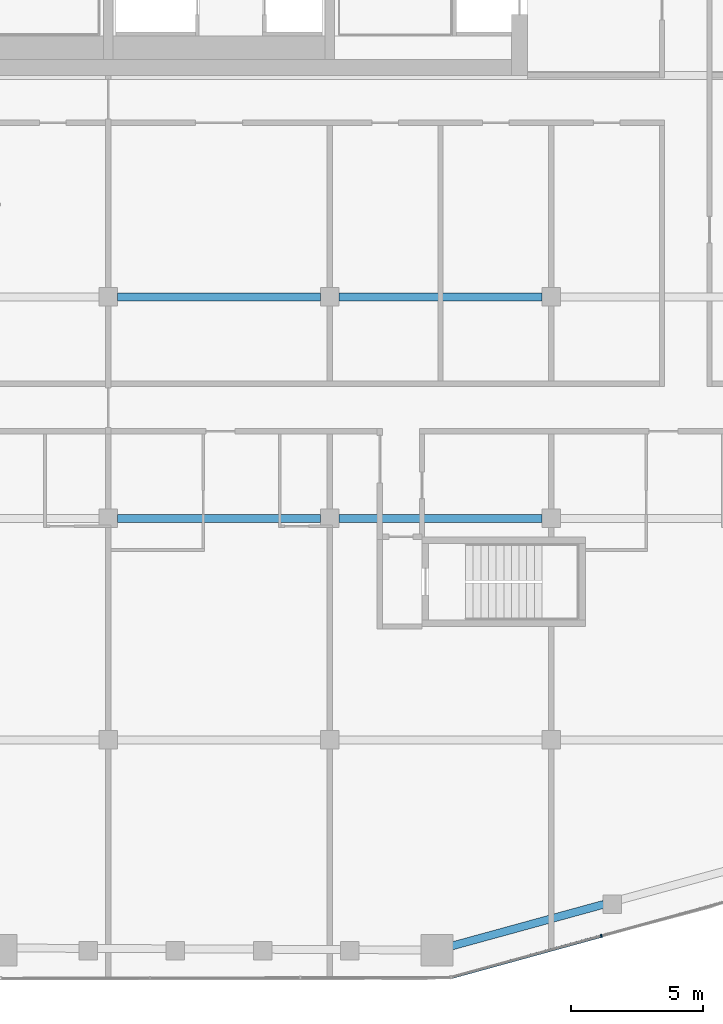
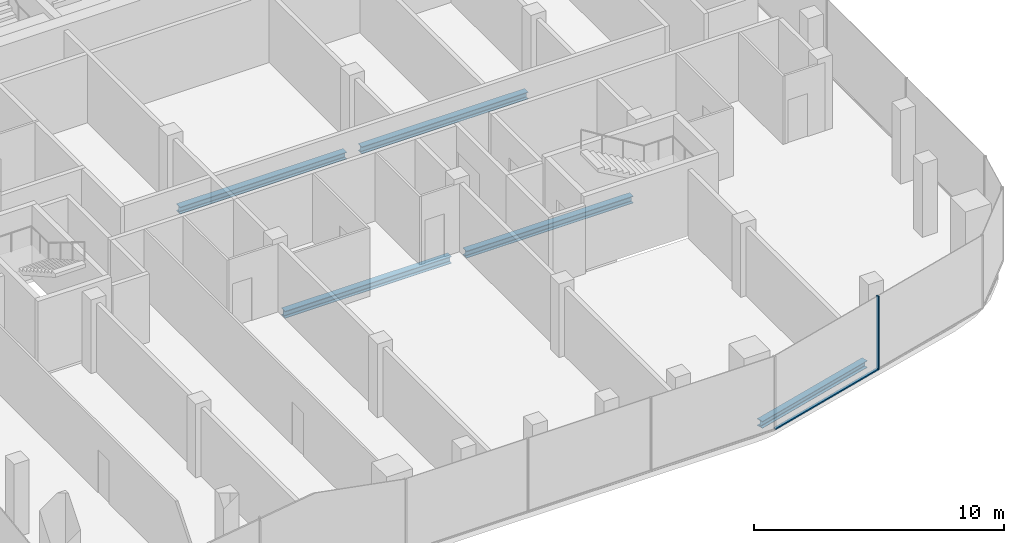
# One storey, part 5 of 19: 5 beams, 2 members, 1 element without a shape of its own.
"""IFC4 building model written with IfcOpenShell, lengths in metres."""

from ifc_helpers import new_model, si_unit, direction, frame, origin, origin_2d, place, context, subcontext, project, spatial, rectangle, i_section, extrude, material, layer, layer_set, material_profile, profile_set, type_object, element, aggregate, save


model = new_model("IFC4")

# Units and contexts
model_context = context("Model", 3, precision=1e-05, world=origin(), true_north=direction((0.0, 1.0)))
body_context = subcontext(model_context, "Body", "Model", "MODEL_VIEW")
ifc_project = project(units=[si_unit("LENGTHUNIT", "METRE"), si_unit("AREAUNIT", "SQUARE_METRE"), si_unit("VOLUMEUNIT", "CUBIC_METRE"), si_unit("PLANEANGLEUNIT", "RADIAN"), si_unit("MASSUNIT", "GRAM", prefix="KILO")], contexts=[model_context])

# Site, building, storey
site_placement = place(None, origin())
site = spatial("IfcSite", under=ifc_project, at=site_placement, CompositionType="ELEMENT")
building_placement = place(site_placement, origin())
building = spatial("IfcBuilding", under=site, at=building_placement, Name="Marenta Gate Hotel Tower", CompositionType="ELEMENT")
storey_placement = place(building_placement, frame((0.0, 0.0, 274.10009765625)))
storey = spatial("IfcBuildingStorey", under=building, at=storey_placement, Name="L63", CompositionType="ELEMENT", Elevation=274.10009765625)

# Beams
ifc_material_1 = material(Name="Steel S355", Category="steel")
ifc_material_profile_1 = material_profile(ifc_material_1, i_section(OverallWidth=0.300048828125, OverallDepth=0.340087890625, WebThickness=0.011962890625, FlangeThickness=0.021484375, FilletRadius=0.027099609375, at=origin_2d()), Name="HEB 340")
ifc_profile_set_1 = profile_set([ifc_material_profile_1], Name="Steel S355")
beam_type_1 = type_object("IfcBeamType", Name="Edge beam HEB 340", PredefinedType="SPANDREL", material=ifc_profile_set_1)
beam_1_placement = place(storey_placement, frame((14.595458984375, -31.43603515625, -0.43017578125), z_axis=(-0.964360464959, -0.264591937941, 0.0), x_axis=(0.264591937941, -0.964360464959, 0.0)))
element("IfcBeam", 1, at=beam_1_placement, inside=storey, type_object=beam_type_1, Name="L63-EB-30", PredefinedType="SPANDREL", context=body_context, shape_type="SweptSolid", body=[
    extrude(i_section(OverallWidth=0.300048828125, OverallDepth=0.340087890625, WebThickness=0.011962890625, FlangeThickness=0.021484375, FilletRadius=0.027099609375, at=origin_2d()), origin(), (0.0, 0.0, 1.0), 5.98095703125),
])
ifc_material_2 = material(Name="Steel S355", Category="steel")
ifc_material_profile_2 = material_profile(ifc_material_2, i_section(OverallWidth=0.300048828125, OverallDepth=0.340087890625, WebThickness=0.011962890625, FlangeThickness=0.021484375, FilletRadius=0.027099609375, at=origin_2d()), Name="HEB 340")
ifc_profile_set_2 = profile_set([ifc_material_profile_2], Name="Steel S355")
beam_type_2 = type_object("IfcBeamType", Name="Girder HEB 340", PredefinedType="BEAM", material=ifc_profile_set_2)
beam_2_placement = place(storey_placement, frame((-3.85009765625, -16.800048828125, -0.43017578125), z_axis=(1.0, 0.0, 0.0), x_axis=(0.0, 1.0, 0.0)))
element("IfcBeam", 2, at=beam_2_placement, inside=storey, type_object=beam_type_2, Name="L63-GD-8", PredefinedType="BEAM", context=body_context, shape_type="SweptSolid", body=[
    extrude(i_section(OverallWidth=0.300048828125, OverallDepth=0.340087890625, WebThickness=0.011962890625, FlangeThickness=0.021484375, FilletRadius=0.027099609375, at=origin_2d()), origin(), (0.0, 0.0, 1.0), 7.7001953125),
])
beam_3_placement = place(storey_placement, frame((4.550048828125, -16.800048828125, -0.43017578125), z_axis=(1.0, 0.0, 0.0), x_axis=(0.0, 1.0, 0.0)))
element("IfcBeam", 3, at=beam_3_placement, inside=storey, type_object=beam_type_2, Name="L63-GD-9", PredefinedType="BEAM", context=body_context, shape_type="SweptSolid", body=[
    extrude(i_section(OverallWidth=0.300048828125, OverallDepth=0.340087890625, WebThickness=0.011962890625, FlangeThickness=0.021484375, FilletRadius=0.027099609375, at=origin_2d()), origin(), (0.0, 0.0, 1.0), 7.699951171875),
])
beam_4_placement = place(storey_placement, frame((-3.85009765625, -8.39990234375, -0.43017578125), z_axis=(1.0, 0.0, 0.0), x_axis=(0.0, 1.0, 0.0)))
element("IfcBeam", 4, at=beam_4_placement, inside=storey, type_object=beam_type_2, Name="L63-GD-13", PredefinedType="BEAM", context=body_context, shape_type="SweptSolid", body=[
    extrude(i_section(OverallWidth=0.300048828125, OverallDepth=0.340087890625, WebThickness=0.011962890625, FlangeThickness=0.021484375, FilletRadius=0.027099609375, at=origin_2d()), origin(), (0.0, 0.0, 1.0), 7.7001953125),
])
beam_5_placement = place(storey_placement, frame((4.550048828125, -8.39990234375, -0.43017578125), z_axis=(1.0, 0.0, 0.0), x_axis=(0.0, 1.0, 0.0)))
element("IfcBeam", 5, at=beam_5_placement, inside=storey, type_object=beam_type_2, Name="L63-GD-14", PredefinedType="BEAM", context=body_context, shape_type="SweptSolid", body=[
    extrude(i_section(OverallWidth=0.300048828125, OverallDepth=0.340087890625, WebThickness=0.011962890625, FlangeThickness=0.021484375, FilletRadius=0.027099609375, at=origin_2d()), origin(), (0.0, 0.0, 1.0), 7.699951171875),
])

# Curtain wall, members
ifc_material_3 = material(Name="Tinted insulated glass in bronze anodised frame", Category="glass")
ifc_layer = layer(ifc_material_3, 0.1201171875)
ifc_layer_set = layer_set([ifc_layer], Name="Tinted insulated glass in bronze anodised frame")
curtain_wall_type = type_object("IfcCurtainWallType", Name="Tower unitised curtain wall CW1", PredefinedType="NOTDEFINED", material=ifc_layer_set)
curtain_wall_placement = place(storey_placement, origin())
curtain_wall = element("IfcCurtainWall", 6, at=curtain_wall_placement, inside=storey, type_object=curtain_wall_type, Name="CW1 run G08", PredefinedType="NOTDEFINED")
ifc_material_4 = material(Name="Bronze anodised aluminium", Category="aluminium")
ifc_material_profile_3 = material_profile(ifc_material_4, rectangle(XDim=0.1201171875, YDim=0.06005859375, at=origin_2d()), Name="Mullion CW1 60x120 bronze anodised aluminium")
ifc_profile_set_3 = profile_set([ifc_material_profile_3], Name="Bronze anodised aluminium")
member_type_1 = type_object("IfcMemberType", Name="Mullion CW1 60x120 bronze anodised aluminium", PredefinedType="MULLION", material=ifc_profile_set_3)
member_1_placement = place(storey_placement, frame((14.5, -32.636962890625, 0.0), z_axis=(0.0, 0.0, 1.0), x_axis=(-0.265292115151, 0.964168083707, 0.0)))
member_1 = element("IfcMember", 7, at=member_1_placement, type_object=member_type_1, Name="CW1 mullion 2", PredefinedType="MULLION", context=body_context, shape_type="SweptSolid", body=[
    extrude(rectangle(XDim=0.1201171875, YDim=0.06005859375, at=origin_2d()), origin(), (0.0, 0.0, 1.0), 3.599853515625),
])
ifc_material_5 = material(Name="Bronze anodised aluminium", Category="aluminium")
ifc_material_profile_4 = material_profile(ifc_material_5, rectangle(XDim=0.1201171875, YDim=0.06005859375, at=origin_2d()), Name="Transom CW1 60x120 bronze anodised aluminium")
ifc_profile_set_4 = profile_set([ifc_material_profile_4], Name="Bronze anodised aluminium")
member_type_2 = type_object("IfcMemberType", Name="Transom CW1 60x120 bronze anodised aluminium", PredefinedType="USERDEFINED", material=ifc_profile_set_4)
member_2_placement = place(storey_placement, frame((8.8330078125, -34.1962890625, 0.02978515625), z_axis=(0.964158143693, 0.265328238131, 0.0), x_axis=(-0.265328238131, 0.964158143693, 0.0)))
member_2 = element("IfcMember", 8, at=member_2_placement, type_object=member_type_2, Name="CW1 transom 1.1", ObjectType="TRANSOM", PredefinedType="USERDEFINED", context=body_context, shape_type="SweptSolid", body=[
    extrude(rectangle(XDim=0.1201171875, YDim=0.06005859375, at=origin_2d()), origin(), (0.0, 0.0, 1.0), 5.847412109375),
])
aggregate(curtain_wall, [member_1, member_2])

save(model, "model.ifc")
